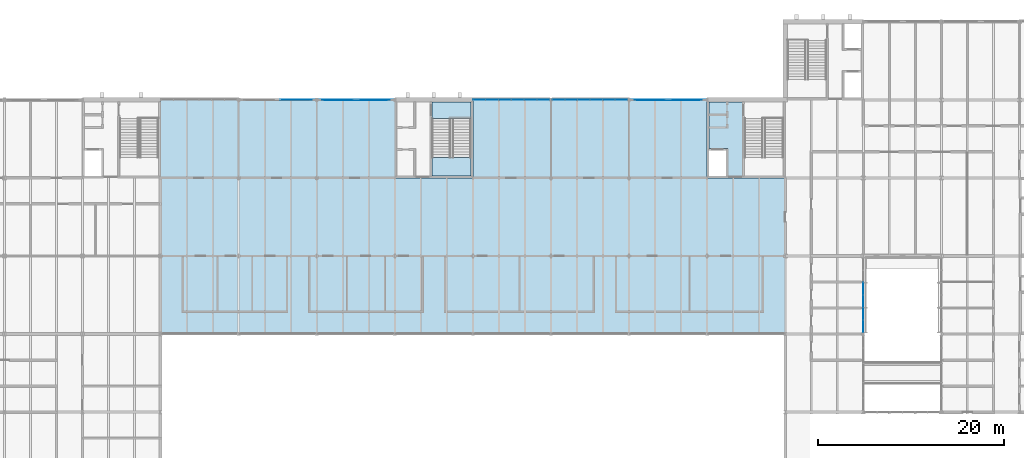
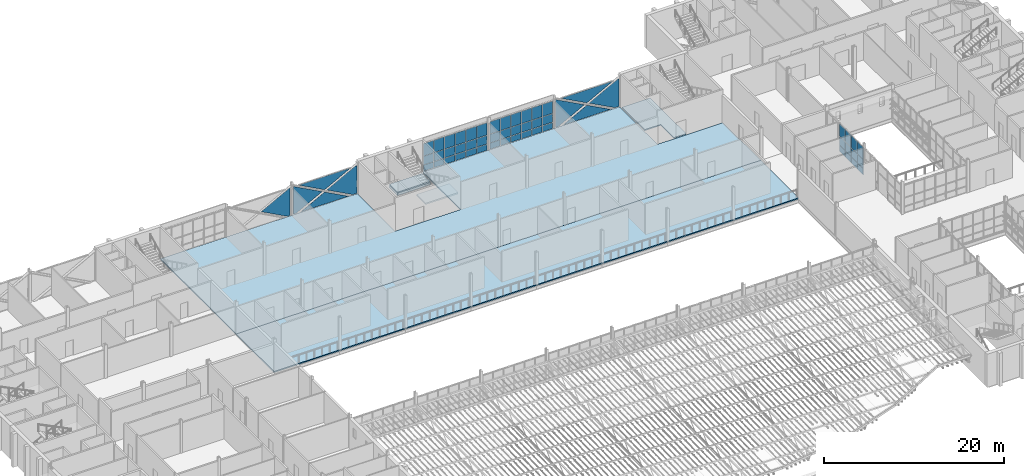
# One storey, part 78 of 129: 57 plates, 6 slabs, 7 elements without a shape of their own.
"""IFC4 building model written with IfcOpenShell, lengths in metres."""

from ifc_helpers import new_model, si_unit, direction, frame, origin, origin_2d, place, context, subcontext, project, spatial, polyline, rectangle, outline, extrude, material, layer, layer_set, type_object, element, aggregate, save


model = new_model("IFC4")

# Units and contexts
model_context = context("Model", 3, precision=1e-05, world=origin(), true_north=direction((0.0, 1.0)))
body_context = subcontext(model_context, "Body", "Model", "MODEL_VIEW")
ifc_project = project(units=[si_unit("LENGTHUNIT", "METRE"), si_unit("AREAUNIT", "SQUARE_METRE"), si_unit("VOLUMEUNIT", "CUBIC_METRE"), si_unit("PLANEANGLEUNIT", "RADIAN"), si_unit("MASSUNIT", "GRAM", prefix="KILO")], contexts=[model_context])

# Site, building, storey
site_placement = place(None, origin())
site = spatial("IfcSite", under=ifc_project, at=site_placement, CompositionType="ELEMENT")
building_placement = place(site_placement, origin())
building = spatial("IfcBuilding", under=site, at=building_placement, Name="Ardhachandra Cancer Care Centre", CompositionType="ELEMENT")
storey_placement = place(building_placement, frame((0.0, 0.0, 4.5)))
storey = spatial("IfcBuildingStorey", under=building, at=storey_placement, Name="L01", CompositionType="ELEMENT", Elevation=4.5)

# Slabs
ifc_material_1 = material(Name="Composite slab Concrete M30 on steel deck", Category="concrete")
ifc_layer_1 = layer(ifc_material_1, 0.14990234375)
ifc_layer_set_1 = layer_set([ifc_layer_1], Name="Composite slab Concrete M30 on steel deck")
slab_type_1 = type_object("IfcSlabType", Name="Composite floor slab 150", PredefinedType="FLOOR", material=ifc_layer_set_1)
slab_1_placement = place(storey_placement, frame((0.0, 0.0, -0.14990234375)))
element("IfcSlab", 1, at=slab_1_placement, inside=storey, type_object=slab_type_1, Name="Floor slab V1-gallery", PredefinedType="FLOOR", context=body_context, shape_type="SweptSolid", body=[
    extrude(outline(polyline([(44.39990234375, 71.39990234375), (111.60009765625, 71.39990234375), (111.60009765625, 79.800048828125), (44.39990234375, 79.800048828125), (44.39990234375, 71.39990234375)])), origin(), (0.0, 0.0, 1.0), 0.14990234375),
])
slab_2_placement = place(storey_placement, frame((0.0, 0.0, -0.14990234375)))
element("IfcSlab", 2, at=slab_2_placement, inside=storey, type_object=slab_type_1, Name="Floor slab V1-strip", PredefinedType="FLOOR", context=body_context, shape_type="SweptSolid", body=[
    extrude(outline(polyline([(111.60009765625, 88.199951171875), (103.199951171875, 88.199951171875), (103.199951171875, 96.60009765625), (78.0, 96.60009765625), (78.0, 88.199951171875), (69.60009765625, 88.199951171875), (69.60009765625, 96.60009765625), (44.39990234375, 96.60009765625), (44.39990234375, 88.199951171875), (44.39990234375, 79.800048828125), (111.60009765625, 79.800048828125), (111.60009765625, 88.199951171875)])), origin(), (0.0, 0.0, 1.0), 0.14990234375),
])
ifc_material_2 = material(Name="Concrete M40", Category="concrete")
ifc_layer_2 = layer(ifc_material_2, 0.14990234375)
ifc_layer_set_2 = layer_set([ifc_layer_2], Name="Concrete M40")
slab_type_2 = type_object("IfcSlabType", Name="Core floor slab 150", PredefinedType="FLOOR", material=ifc_layer_set_2)
slab_3_placement = place(storey_placement, frame((0.0, 0.0, -0.14990234375)))
element("IfcSlab", 3, at=slab_3_placement, inside=storey, type_object=slab_type_2, Name="Core floor slab K7 L01 2", PredefinedType="FLOOR", context=body_context, shape_type="SweptSolid", body=[
    extrude(outline(polyline([(103.39990234375, 96.375), (103.39990234375, 91.35009765625), (105.25, 91.35009765625), (105.449951171875, 91.35009765625), (105.449951171875, 88.39990234375), (107.0, 88.39990234375), (107.0, 96.375), (103.39990234375, 96.375)])), origin(), (0.0, 0.0, 1.0), 0.14990234375),
])
slab_4_placement = place(storey_placement, frame((0.0, 0.0, -0.14990234375)))
element("IfcSlab", 4, at=slab_4_placement, inside=storey, type_object=slab_type_2, Name="Core floor slab K8 L01 1", PredefinedType="FLOOR", context=body_context, shape_type="SweptSolid", body=[
    extrude(outline(polyline([(77.800048828125, 96.375), (73.60009765625, 96.375), (73.60009765625, 94.60009765625), (77.800048828125, 94.60009765625), (77.800048828125, 96.375)])), origin(), (0.0, 0.0, 1.0), 0.14990234375),
])
ifc_material_3 = material(Name="Concrete M40", Category="concrete")
ifc_layer_3 = layer(ifc_material_3, 0.300048828125)
ifc_layer_set_3 = layer_set([ifc_layer_3], Name="Concrete M40")
slab_type_3 = type_object("IfcSlabType", Name="Core stair edge slab 300", PredefinedType="FLOOR", material=ifc_layer_set_3)
slab_5_placement = place(storey_placement, frame((0.0, 0.0, -0.449951171875)))
element("IfcSlab", 5, at=slab_5_placement, inside=storey, type_object=slab_type_3, Name="Core stair edge slab K8 L01", PredefinedType="FLOOR", context=body_context, shape_type="SweptSolid", body=[
    extrude(outline(polyline([(77.800048828125, 94.60009765625), (73.60009765625, 94.60009765625), (73.60009765625, 96.375), (77.800048828125, 96.375), (77.800048828125, 94.60009765625)])), origin(), (0.0, 0.0, 1.0), 0.300048828125),
])

# Curtain wall, plates
ifc_material_4 = material(Name="Aluminium extrusion", Category="aluminium")
ifc_layer_4 = layer(ifc_material_4, 0.14990234375)
ifc_layer_set_4 = layer_set([ifc_layer_4], Name="Aluminium extrusion")
curtain_wall_type = type_object("IfcCurtainWallType", Name="Curtain wall run", PredefinedType="NOTDEFINED", material=ifc_layer_set_4)
curtain_wall_1_placement = place(storey_placement, origin())
curtain_wall_1 = element("IfcCurtainWall", 6, at=curtain_wall_1_placement, inside=storey, type_object=curtain_wall_type, Name="Curtain wall L01 e/0120000_0071400", PredefinedType="NOTDEFINED")
ifc_material_5 = material(Name="Low-iron double-glazed unit")
ifc_layer_5 = layer(ifc_material_5, 0.028076171875)
ifc_layer_set_5 = layer_set([ifc_layer_5], Name="Low-iron double-glazed unit")
plate_type_1 = type_object("IfcPlateType", Name="Curtain wall glazing 28", PredefinedType="CURTAIN_PANEL", material=ifc_layer_set_5)
plate_1_placement = place(storey_placement, frame((120.0, 72.236572265625, 0.93017578125), z_axis=(0.0, 0.0, 1.0), x_axis=(0.0, 1.0, 0.0)))
plate_1 = element("IfcPlate", 7, at=plate_1_placement, type_object=plate_type_1, Name="CW panel 1.2", PredefinedType="CURTAIN_PANEL", context=body_context, shape_type="SweptSolid", body=[
    extrude(rectangle(XDim=1.25341796875, YDim=0.028076171875, at=origin_2d()), origin(), (0.0, 0.0, 1.0), 1.139892578125),
])
plate_2_placement = place(storey_placement, frame((120.0, 72.236572265625, 2.1298828125), z_axis=(0.0, 0.0, 1.0), x_axis=(0.0, 1.0, 0.0)))
plate_2 = element("IfcPlate", 8, at=plate_2_placement, type_object=plate_type_1, Name="CW panel 1.3", PredefinedType="CURTAIN_PANEL", context=body_context, shape_type="SweptSolid", body=[
    extrude(rectangle(XDim=1.25341796875, YDim=0.028076171875, at=origin_2d()), origin(), (0.0, 0.0, 1.0), 1.659912109375),
])
plate_3_placement = place(storey_placement, frame((120.0, 73.56494140625, 0.93017578125), z_axis=(0.0, 0.0, 1.0), x_axis=(0.0, 1.0, 0.0)))
plate_3 = element("IfcPlate", 9, at=plate_3_placement, type_object=plate_type_1, Name="CW panel 2.2", PredefinedType="CURTAIN_PANEL", context=body_context, shape_type="SweptSolid", body=[
    extrude(rectangle(XDim=1.283447265625, YDim=0.028076171875, at=origin_2d()), origin(), (0.0, 0.0, 1.0), 1.139892578125),
])
plate_4_placement = place(storey_placement, frame((120.0, 73.56494140625, 2.1298828125), z_axis=(0.0, 0.0, 1.0), x_axis=(0.0, 1.0, 0.0)))
plate_4 = element("IfcPlate", 10, at=plate_4_placement, type_object=plate_type_1, Name="CW panel 2.3", PredefinedType="CURTAIN_PANEL", context=body_context, shape_type="SweptSolid", body=[
    extrude(rectangle(XDim=1.283447265625, YDim=0.028076171875, at=origin_2d()), origin(), (0.0, 0.0, 1.0), 1.659912109375),
])
plate_5_placement = place(storey_placement, frame((120.0, 74.908447265625, 0.93017578125), z_axis=(0.0, 0.0, 1.0), x_axis=(0.0, 1.0, 0.0)))
plate_5 = element("IfcPlate", 11, at=plate_5_placement, type_object=plate_type_1, Name="CW panel 3.2", PredefinedType="CURTAIN_PANEL", context=body_context, shape_type="SweptSolid", body=[
    extrude(rectangle(XDim=1.283447265625, YDim=0.028076171875, at=origin_2d()), origin(), (0.0, 0.0, 1.0), 1.139892578125),
])
plate_6_placement = place(storey_placement, frame((120.0, 74.908447265625, 2.1298828125), z_axis=(0.0, 0.0, 1.0), x_axis=(0.0, 1.0, 0.0)))
plate_6 = element("IfcPlate", 12, at=plate_6_placement, type_object=plate_type_1, Name="CW panel 3.3", PredefinedType="CURTAIN_PANEL", context=body_context, shape_type="SweptSolid", body=[
    extrude(rectangle(XDim=1.283447265625, YDim=0.028076171875, at=origin_2d()), origin(), (0.0, 0.0, 1.0), 1.659912109375),
])
plate_7_placement = place(storey_placement, frame((120.0, 76.251708984375, 0.93017578125), z_axis=(0.0, 0.0, 1.0), x_axis=(0.0, 1.0, 0.0)))
plate_7 = element("IfcPlate", 13, at=plate_7_placement, type_object=plate_type_1, Name="CW panel 4.2", PredefinedType="CURTAIN_PANEL", context=body_context, shape_type="SweptSolid", body=[
    extrude(rectangle(XDim=1.283447265625, YDim=0.028076171875, at=origin_2d()), origin(), (0.0, 0.0, 1.0), 1.139892578125),
])
plate_8_placement = place(storey_placement, frame((120.0, 76.251708984375, 2.1298828125), z_axis=(0.0, 0.0, 1.0), x_axis=(0.0, 1.0, 0.0)))
plate_8 = element("IfcPlate", 14, at=plate_8_placement, type_object=plate_type_1, Name="CW panel 4.3", PredefinedType="CURTAIN_PANEL", context=body_context, shape_type="SweptSolid", body=[
    extrude(rectangle(XDim=1.283447265625, YDim=0.028076171875, at=origin_2d()), origin(), (0.0, 0.0, 1.0), 1.659912109375),
])

# Curtain wall, plate
curtain_wall_2_placement = place(storey_placement, origin())
curtain_wall_2 = element("IfcCurtainWall", 15, at=curtain_wall_2_placement, inside=storey, type_object=curtain_wall_type, Name="Curtain wall L01 n/0052800_0096600", PredefinedType="NOTDEFINED")
plate_9_placement = place(storey_placement, frame((60.989990234375, 96.60009765625, 3.7900390625), z_axis=(0.0, 1.0, 0.0), x_axis=(0.0, 0.0, -1.0)))
plate_9 = element("IfcPlate", 16, at=plate_9_placement, type_object=plate_type_1, Name="CW panel 1.1", PredefinedType="CURTAIN_PANEL", context=body_context, shape_type="SweptSolid", body=[
    extrude(outline(polyline([(0.0, 0.0), (3.72998046875, 0.0), (3.72998046875, 0.357421875), (1.93994140625, 3.69873046875), (0.0, 0.077392578125), (0.0, 0.0)])), origin(), (0.0, 0.0, 1.0), 0.028076171875),
])
aggregate(curtain_wall_2, [plate_9])

# Curtain wall, plates
curtain_wall_3_placement = place(storey_placement, origin())
curtain_wall_3 = element("IfcCurtainWall", 17, at=curtain_wall_3_placement, inside=storey, type_object=curtain_wall_type, Name="Curtain wall L01 n/0061200_0096600", PredefinedType="NOTDEFINED")
plate_10_placement = place(storey_placement, frame((69.5400390625, 96.60009765625, 3.7900390625), z_axis=(0.0, 1.0, 0.0), x_axis=(0.0, 0.0, -1.0)))
plate_10 = element("IfcPlate", 18, at=plate_10_placement, type_object=plate_type_1, Name="CW panel 1.1", PredefinedType="CURTAIN_PANEL", context=body_context, shape_type="SweptSolid", body=[
    extrude(outline(polyline([(0.0, 0.0), (3.72998046875, 0.0), (3.72998046875, 0.507568359375), (1.93994140625, 3.848876953125), (0.0, 0.2275390625), (0.0, 0.0)])), origin(), (0.0, 0.0, 1.0), 0.028076171875),
])
plate_11_placement = place(storey_placement, frame((68.730224609375, 96.60009765625, 3.7900390625), z_axis=(0.0, 1.0, 0.0), x_axis=(-0.881498222146, 0.0, -0.472187340314)))
plate_11 = element("IfcPlate", 19, at=plate_11_placement, type_object=plate_type_1, Name="CW panel 1.1", PredefinedType="CURTAIN_PANEL", context=body_context, shape_type="SweptSolid", body=[
    extrude(outline(polyline([(0.0, 0.0), (3.778076171875, 0.0), (5.87109375, 3.14501953125), (0.0, 0.0)])), frame((0.0, 0.0, -0.028076171875)), (0.0, 0.0, 1.0), 0.028076171875),
])
plate_12_placement = place(storey_placement, frame((61.409912109375, 96.60009765625, 0.06005859375), z_axis=(0.0, 1.0, 0.0), x_axis=(0.0, 0.0, 1.0)))
plate_12 = element("IfcPlate", 20, at=plate_12_placement, type_object=plate_type_1, Name="CW panel 1.1", PredefinedType="CURTAIN_PANEL", context=body_context, shape_type="SweptSolid", body=[
    extrude(outline(polyline([(0.0, 0.0), (3.72998046875, 0.0), (3.72998046875, 0.07763671875), (1.7900390625, 3.698974609375), (0.0, 0.357666015625), (0.0, 0.0)])), origin(), (0.0, 0.0, 1.0), 0.028076171875),
])
plate_13_placement = place(storey_placement, frame((62.349853515625, 96.60009765625, 0.06005859375), z_axis=(0.0, 1.0, 0.0), x_axis=(0.881470529599, 0.0, 0.472239034228)))
plate_13 = element("IfcPlate", 21, at=plate_13_placement, type_object=plate_type_1, Name="CW panel 1.1", PredefinedType="CURTAIN_PANEL", context=body_context, shape_type="SweptSolid", body=[
    extrude(outline(polyline([(0.0, 0.0), (3.460205078125, 0.0), (5.377197265625, 2.880859375), (0.0, 0.0)])), frame((0.0, 0.0, -0.028076171875)), (0.0, 0.0, 1.0), 0.028076171875),
])
aggregate(curtain_wall_3, [plate_10, plate_11, plate_12, plate_13])

curtain_wall_4_placement = place(storey_placement, origin())
curtain_wall_4 = element("IfcCurtainWall", 22, at=curtain_wall_4_placement, inside=storey, type_object=curtain_wall_type, Name="Curtain wall L01 n/0078000_0096600", PredefinedType="NOTDEFINED")
plate_14_placement = place(storey_placement, frame((78.702392578125, 96.60009765625, 0.93017578125), z_axis=(0.0, 0.0, 1.0), x_axis=(1.0, 0.0, 0.0)))
plate_14 = element("IfcPlate", 23, at=plate_14_placement, type_object=plate_type_1, Name="CW panel 1.2", PredefinedType="CURTAIN_PANEL", context=body_context, shape_type="SweptSolid", body=[
    extrude(rectangle(XDim=1.284912109375, YDim=0.028076171875, at=origin_2d()), origin(), (0.0, 0.0, 1.0), 1.139892578125),
])
plate_15_placement = place(storey_placement, frame((78.702392578125, 96.60009765625, 2.1298828125), z_axis=(0.0, 0.0, 1.0), x_axis=(1.0, 0.0, 0.0)))
plate_15 = element("IfcPlate", 24, at=plate_15_placement, type_object=plate_type_1, Name="CW panel 1.3", PredefinedType="CURTAIN_PANEL", context=body_context, shape_type="SweptSolid", body=[
    extrude(rectangle(XDim=1.284912109375, YDim=0.028076171875, at=origin_2d()), origin(), (0.0, 0.0, 1.0), 1.659912109375),
])
plate_16_placement = place(storey_placement, frame((80.0625, 96.60009765625, 0.93017578125), z_axis=(0.0, 0.0, 1.0), x_axis=(1.0, 0.0, 0.0)))
plate_16 = element("IfcPlate", 25, at=plate_16_placement, type_object=plate_type_1, Name="CW panel 2.2", PredefinedType="CURTAIN_PANEL", context=body_context, shape_type="SweptSolid", body=[
    extrude(rectangle(XDim=1.31494140625, YDim=0.028076171875, at=origin_2d()), origin(), (0.0, 0.0, 1.0), 1.139892578125),
])
plate_17_placement = place(storey_placement, frame((80.0625, 96.60009765625, 2.1298828125), z_axis=(0.0, 0.0, 1.0), x_axis=(1.0, 0.0, 0.0)))
plate_17 = element("IfcPlate", 26, at=plate_17_placement, type_object=plate_type_1, Name="CW panel 2.3", PredefinedType="CURTAIN_PANEL", context=body_context, shape_type="SweptSolid", body=[
    extrude(rectangle(XDim=1.31494140625, YDim=0.028076171875, at=origin_2d()), origin(), (0.0, 0.0, 1.0), 1.659912109375),
])
plate_18_placement = place(storey_placement, frame((81.4375, 96.60009765625, 0.93017578125), z_axis=(0.0, 0.0, 1.0), x_axis=(1.0, 0.0, 0.0)))
plate_18 = element("IfcPlate", 27, at=plate_18_placement, type_object=plate_type_1, Name="CW panel 3.2", PredefinedType="CURTAIN_PANEL", context=body_context, shape_type="SweptSolid", body=[
    extrude(rectangle(XDim=1.31494140625, YDim=0.028076171875, at=origin_2d()), origin(), (0.0, 0.0, 1.0), 1.139892578125),
])
plate_19_placement = place(storey_placement, frame((81.4375, 96.60009765625, 2.1298828125), z_axis=(0.0, 0.0, 1.0), x_axis=(1.0, 0.0, 0.0)))
plate_19 = element("IfcPlate", 28, at=plate_19_placement, type_object=plate_type_1, Name="CW panel 3.3", PredefinedType="CURTAIN_PANEL", context=body_context, shape_type="SweptSolid", body=[
    extrude(rectangle(XDim=1.31494140625, YDim=0.028076171875, at=origin_2d()), origin(), (0.0, 0.0, 1.0), 1.659912109375),
])
plate_20_placement = place(storey_placement, frame((82.8125, 96.60009765625, 0.93017578125), z_axis=(0.0, 0.0, 1.0), x_axis=(1.0, 0.0, 0.0)))
plate_20 = element("IfcPlate", 29, at=plate_20_placement, type_object=plate_type_1, Name="CW panel 4.2", PredefinedType="CURTAIN_PANEL", context=body_context, shape_type="SweptSolid", body=[
    extrude(rectangle(XDim=1.31494140625, YDim=0.028076171875, at=origin_2d()), origin(), (0.0, 0.0, 1.0), 1.139892578125),
])
plate_21_placement = place(storey_placement, frame((82.8125, 96.60009765625, 2.1298828125), z_axis=(0.0, 0.0, 1.0), x_axis=(1.0, 0.0, 0.0)))
plate_21 = element("IfcPlate", 30, at=plate_21_placement, type_object=plate_type_1, Name="CW panel 4.3", PredefinedType="CURTAIN_PANEL", context=body_context, shape_type="SweptSolid", body=[
    extrude(rectangle(XDim=1.31494140625, YDim=0.028076171875, at=origin_2d()), origin(), (0.0, 0.0, 1.0), 1.659912109375),
])
plate_22_placement = place(storey_placement, frame((84.1875, 96.60009765625, 0.93017578125), z_axis=(0.0, 0.0, 1.0), x_axis=(1.0, 0.0, 0.0)))
plate_22 = element("IfcPlate", 31, at=plate_22_placement, type_object=plate_type_1, Name="CW panel 5.2", PredefinedType="CURTAIN_PANEL", context=body_context, shape_type="SweptSolid", body=[
    extrude(rectangle(XDim=1.31494140625, YDim=0.028076171875, at=origin_2d()), origin(), (0.0, 0.0, 1.0), 1.139892578125),
])
plate_23_placement = place(storey_placement, frame((84.1875, 96.60009765625, 2.1298828125), z_axis=(0.0, 0.0, 1.0), x_axis=(1.0, 0.0, 0.0)))
plate_23 = element("IfcPlate", 32, at=plate_23_placement, type_object=plate_type_1, Name="CW panel 5.3", PredefinedType="CURTAIN_PANEL", context=body_context, shape_type="SweptSolid", body=[
    extrude(rectangle(XDim=1.31494140625, YDim=0.028076171875, at=origin_2d()), origin(), (0.0, 0.0, 1.0), 1.659912109375),
])
plate_24_placement = place(storey_placement, frame((85.547607421875, 96.60009765625, 0.93017578125), z_axis=(0.0, 0.0, 1.0), x_axis=(1.0, 0.0, 0.0)))
plate_24 = element("IfcPlate", 33, at=plate_24_placement, type_object=plate_type_1, Name="CW panel 6.2", PredefinedType="CURTAIN_PANEL", context=body_context, shape_type="SweptSolid", body=[
    extrude(rectangle(XDim=1.284912109375, YDim=0.028076171875, at=origin_2d()), origin(), (0.0, 0.0, 1.0), 1.139892578125),
])
plate_25_placement = place(storey_placement, frame((85.547607421875, 96.60009765625, 2.1298828125), z_axis=(0.0, 0.0, 1.0), x_axis=(1.0, 0.0, 0.0)))
plate_25 = element("IfcPlate", 34, at=plate_25_placement, type_object=plate_type_1, Name="CW panel 6.3", PredefinedType="CURTAIN_PANEL", context=body_context, shape_type="SweptSolid", body=[
    extrude(rectangle(XDim=1.284912109375, YDim=0.028076171875, at=origin_2d()), origin(), (0.0, 0.0, 1.0), 1.659912109375),
])

curtain_wall_5_placement = place(storey_placement, origin())
curtain_wall_5 = element("IfcCurtainWall", 35, at=curtain_wall_5_placement, inside=storey, type_object=curtain_wall_type, Name="Curtain wall L01 n/0086400_0096600", PredefinedType="NOTDEFINED")
plate_26_placement = place(storey_placement, frame((87.239990234375, 96.60009765625, 0.93017578125), z_axis=(0.0, 0.0, 1.0), x_axis=(1.0, 0.0, 0.0)))
plate_26 = element("IfcPlate", 36, at=plate_26_placement, type_object=plate_type_1, Name="CW panel 1.2", PredefinedType="CURTAIN_PANEL", context=body_context, shape_type="SweptSolid", body=[
    extrude(rectangle(XDim=1.260009765625, YDim=0.028076171875, at=origin_2d()), origin(), (0.0, 0.0, 1.0), 1.139892578125),
])
plate_27_placement = place(storey_placement, frame((87.239990234375, 96.60009765625, 2.1298828125), z_axis=(0.0, 0.0, 1.0), x_axis=(1.0, 0.0, 0.0)))
plate_27 = element("IfcPlate", 37, at=plate_27_placement, type_object=plate_type_1, Name="CW panel 1.3", PredefinedType="CURTAIN_PANEL", context=body_context, shape_type="SweptSolid", body=[
    extrude(rectangle(XDim=1.260009765625, YDim=0.028076171875, at=origin_2d()), origin(), (0.0, 0.0, 1.0), 1.659912109375),
])
plate_28_placement = place(storey_placement, frame((88.574951171875, 96.60009765625, 0.93017578125), z_axis=(0.0, 0.0, 1.0), x_axis=(1.0, 0.0, 0.0)))
plate_28 = element("IfcPlate", 38, at=plate_28_placement, type_object=plate_type_1, Name="CW panel 2.2", PredefinedType="CURTAIN_PANEL", context=body_context, shape_type="SweptSolid", body=[
    extrude(rectangle(XDim=1.2900390625, YDim=0.028076171875, at=origin_2d()), origin(), (0.0, 0.0, 1.0), 1.139892578125),
])
plate_29_placement = place(storey_placement, frame((88.574951171875, 96.60009765625, 2.1298828125), z_axis=(0.0, 0.0, 1.0), x_axis=(1.0, 0.0, 0.0)))
plate_29 = element("IfcPlate", 39, at=plate_29_placement, type_object=plate_type_1, Name="CW panel 2.3", PredefinedType="CURTAIN_PANEL", context=body_context, shape_type="SweptSolid", body=[
    extrude(rectangle(XDim=1.2900390625, YDim=0.028076171875, at=origin_2d()), origin(), (0.0, 0.0, 1.0), 1.659912109375),
])
plate_30_placement = place(storey_placement, frame((89.925048828125, 96.60009765625, 0.93017578125), z_axis=(0.0, 0.0, 1.0), x_axis=(1.0, 0.0, 0.0)))
plate_30 = element("IfcPlate", 40, at=plate_30_placement, type_object=plate_type_1, Name="CW panel 3.2", PredefinedType="CURTAIN_PANEL", context=body_context, shape_type="SweptSolid", body=[
    extrude(rectangle(XDim=1.2900390625, YDim=0.028076171875, at=origin_2d()), origin(), (0.0, 0.0, 1.0), 1.139892578125),
])
plate_31_placement = place(storey_placement, frame((89.925048828125, 96.60009765625, 2.1298828125), z_axis=(0.0, 0.0, 1.0), x_axis=(1.0, 0.0, 0.0)))
plate_31 = element("IfcPlate", 41, at=plate_31_placement, type_object=plate_type_1, Name="CW panel 3.3", PredefinedType="CURTAIN_PANEL", context=body_context, shape_type="SweptSolid", body=[
    extrude(rectangle(XDim=1.2900390625, YDim=0.028076171875, at=origin_2d()), origin(), (0.0, 0.0, 1.0), 1.659912109375),
])
plate_32_placement = place(storey_placement, frame((91.27490234375, 96.60009765625, 0.93017578125), z_axis=(0.0, 0.0, 1.0), x_axis=(1.0, 0.0, 0.0)))
plate_32 = element("IfcPlate", 42, at=plate_32_placement, type_object=plate_type_1, Name="CW panel 4.2", PredefinedType="CURTAIN_PANEL", context=body_context, shape_type="SweptSolid", body=[
    extrude(rectangle(XDim=1.2900390625, YDim=0.028076171875, at=origin_2d()), origin(), (0.0, 0.0, 1.0), 1.139892578125),
])
plate_33_placement = place(storey_placement, frame((91.27490234375, 96.60009765625, 2.1298828125), z_axis=(0.0, 0.0, 1.0), x_axis=(1.0, 0.0, 0.0)))
plate_33 = element("IfcPlate", 43, at=plate_33_placement, type_object=plate_type_1, Name="CW panel 4.3", PredefinedType="CURTAIN_PANEL", context=body_context, shape_type="SweptSolid", body=[
    extrude(rectangle(XDim=1.2900390625, YDim=0.028076171875, at=origin_2d()), origin(), (0.0, 0.0, 1.0), 1.659912109375),
])
plate_34_placement = place(storey_placement, frame((92.625, 96.60009765625, 0.93017578125), z_axis=(0.0, 0.0, 1.0), x_axis=(1.0, 0.0, 0.0)))
plate_34 = element("IfcPlate", 44, at=plate_34_placement, type_object=plate_type_1, Name="CW panel 5.2", PredefinedType="CURTAIN_PANEL", context=body_context, shape_type="SweptSolid", body=[
    extrude(rectangle(XDim=1.2900390625, YDim=0.028076171875, at=origin_2d()), origin(), (0.0, 0.0, 1.0), 1.139892578125),
])
plate_35_placement = place(storey_placement, frame((92.625, 96.60009765625, 2.1298828125), z_axis=(0.0, 0.0, 1.0), x_axis=(1.0, 0.0, 0.0)))
plate_35 = element("IfcPlate", 45, at=plate_35_placement, type_object=plate_type_1, Name="CW panel 5.3", PredefinedType="CURTAIN_PANEL", context=body_context, shape_type="SweptSolid", body=[
    extrude(rectangle(XDim=1.2900390625, YDim=0.028076171875, at=origin_2d()), origin(), (0.0, 0.0, 1.0), 1.659912109375),
])
plate_36_placement = place(storey_placement, frame((93.9599609375, 96.60009765625, 0.93017578125), z_axis=(0.0, 0.0, 1.0), x_axis=(1.0, 0.0, 0.0)))
plate_36 = element("IfcPlate", 46, at=plate_36_placement, type_object=plate_type_1, Name="CW panel 6.2", PredefinedType="CURTAIN_PANEL", context=body_context, shape_type="SweptSolid", body=[
    extrude(rectangle(XDim=1.260009765625, YDim=0.028076171875, at=origin_2d()), origin(), (0.0, 0.0, 1.0), 1.139892578125),
])
plate_37_placement = place(storey_placement, frame((93.9599609375, 96.60009765625, 2.1298828125), z_axis=(0.0, 0.0, 1.0), x_axis=(1.0, 0.0, 0.0)))
plate_37 = element("IfcPlate", 47, at=plate_37_placement, type_object=plate_type_1, Name="CW panel 6.3", PredefinedType="CURTAIN_PANEL", context=body_context, shape_type="SweptSolid", body=[
    extrude(rectangle(XDim=1.260009765625, YDim=0.028076171875, at=origin_2d()), origin(), (0.0, 0.0, 1.0), 1.659912109375),
])

curtain_wall_6_placement = place(storey_placement, origin())
curtain_wall_6 = element("IfcCurtainWall", 48, at=curtain_wall_6_placement, inside=storey, type_object=curtain_wall_type, Name="Curtain wall L01 n/0094800_0096600", PredefinedType="NOTDEFINED")
plate_38_placement = place(storey_placement, frame((103.139892578125, 96.60009765625, 3.7900390625), z_axis=(0.0, 1.0, 0.0), x_axis=(0.0, 0.0, -1.0)))
plate_38 = element("IfcPlate", 49, at=plate_38_placement, type_object=plate_type_1, Name="CW panel 1.1", PredefinedType="CURTAIN_PANEL", context=body_context, shape_type="SweptSolid", body=[
    extrude(outline(polyline([(0.0, 0.0), (3.72998046875, 0.0), (3.72998046875, 0.50732421875), (1.93994140625, 3.8486328125), (0.0, 0.227294921875), (0.0, 0.0)])), origin(), (0.0, 0.0, 1.0), 0.028076171875),
])
plate_39_placement = place(storey_placement, frame((102.330078125, 96.60009765625, 3.7900390625), z_axis=(0.0, 1.0, 0.0), x_axis=(-0.881483812908, 0.0, -0.47221423907)))
plate_39 = element("IfcPlate", 50, at=plate_39_placement, type_object=plate_type_1, Name="CW panel 1.1", PredefinedType="CURTAIN_PANEL", context=body_context, shape_type="SweptSolid", body=[
    extrude(outline(polyline([(0.0, 0.0), (3.77783203125, 0.0), (5.870849609375, 3.14501953125), (0.0, 0.0)])), frame((0.0, 0.0, -0.028076171875)), (0.0, 0.0, 1.0), 0.028076171875),
])
plate_40_placement = place(storey_placement, frame((95.010009765625, 96.60009765625, 0.06005859375), z_axis=(0.0, 1.0, 0.0), x_axis=(0.0, 0.0, 1.0)))
plate_40 = element("IfcPlate", 51, at=plate_40_placement, type_object=plate_type_1, Name="CW panel 1.1", PredefinedType="CURTAIN_PANEL", context=body_context, shape_type="SweptSolid", body=[
    extrude(outline(polyline([(0.0, 0.0), (3.72998046875, 0.0), (3.72998046875, 0.077392578125), (1.7900390625, 3.69873046875), (0.0, 0.357421875), (0.0, 0.0)])), origin(), (0.0, 0.0, 1.0), 0.028076171875),
])
plate_41_placement = place(storey_placement, frame((95.949951171875, 96.60009765625, 0.06005859375), z_axis=(0.0, 1.0, 0.0), x_axis=(0.881470529599, 0.0, 0.472239034228)))
plate_41 = element("IfcPlate", 52, at=plate_41_placement, type_object=plate_type_1, Name="CW panel 1.1", PredefinedType="CURTAIN_PANEL", context=body_context, shape_type="SweptSolid", body=[
    extrude(outline(polyline([(0.0, 0.0), (3.460205078125, 0.0), (5.376953125, 2.880615234375), (0.0, 0.0)])), frame((0.0, 0.0, -0.028076171875)), (0.0, 0.0, 1.0), 0.028076171875),
])
aggregate(curtain_wall_6, [plate_38, plate_39, plate_40, plate_41])

# Plate
ifc_material_6 = material(Name="Aluminium composite spandrel panel", Category="aluminium")
ifc_layer_6 = layer(ifc_material_6, 0.028076171875)
ifc_layer_set_6 = layer_set([ifc_layer_6], Name="Aluminium composite spandrel panel")
plate_type_2 = type_object("IfcPlateType", Name="Curtain wall spandrel panel 28", PredefinedType="CURTAIN_PANEL", material=ifc_layer_set_6)
plate_42_placement = place(storey_placement, frame((120.0, 72.236572265625, 0.06005859375), z_axis=(0.0, 0.0, 1.0), x_axis=(0.0, 1.0, 0.0)))
plate_42 = element("IfcPlate", 53, at=plate_42_placement, type_object=plate_type_2, Name="CW panel 1.1", PredefinedType="CURTAIN_PANEL", context=body_context, shape_type="SweptSolid", body=[
    extrude(rectangle(XDim=1.25341796875, YDim=0.028076171875, at=origin_2d()), origin(), (0.0, 0.0, 1.0), 0.81005859375),
])

plate_43_placement = place(storey_placement, frame((120.0, 73.56494140625, 0.06005859375), z_axis=(0.0, 0.0, 1.0), x_axis=(0.0, 1.0, 0.0)))
plate_43 = element("IfcPlate", 54, at=plate_43_placement, type_object=plate_type_2, Name="CW panel 2.1", PredefinedType="CURTAIN_PANEL", context=body_context, shape_type="SweptSolid", body=[
    extrude(rectangle(XDim=1.283447265625, YDim=0.028076171875, at=origin_2d()), origin(), (0.0, 0.0, 1.0), 0.81005859375),
])

plate_44_placement = place(storey_placement, frame((120.0, 74.908447265625, 0.06005859375), z_axis=(0.0, 0.0, 1.0), x_axis=(0.0, 1.0, 0.0)))
plate_44 = element("IfcPlate", 55, at=plate_44_placement, type_object=plate_type_2, Name="CW panel 3.1", PredefinedType="CURTAIN_PANEL", context=body_context, shape_type="SweptSolid", body=[
    extrude(rectangle(XDim=1.283447265625, YDim=0.028076171875, at=origin_2d()), origin(), (0.0, 0.0, 1.0), 0.81005859375),
])

plate_45_placement = place(storey_placement, frame((120.0, 76.251708984375, 0.06005859375), z_axis=(0.0, 0.0, 1.0), x_axis=(0.0, 1.0, 0.0)))
plate_45 = element("IfcPlate", 56, at=plate_45_placement, type_object=plate_type_2, Name="CW panel 4.1", PredefinedType="CURTAIN_PANEL", context=body_context, shape_type="SweptSolid", body=[
    extrude(rectangle(XDim=1.283447265625, YDim=0.028076171875, at=origin_2d()), origin(), (0.0, 0.0, 1.0), 0.81005859375),
])

aggregate(curtain_wall_1, [plate_42, plate_1, plate_2, plate_43, plate_3, plate_4, plate_44, plate_5, plate_6, plate_45, plate_7, plate_8])

plate_46_placement = place(storey_placement, frame((78.702392578125, 96.60009765625, 0.06005859375), z_axis=(0.0, 0.0, 1.0), x_axis=(1.0, 0.0, 0.0)))
plate_46 = element("IfcPlate", 57, at=plate_46_placement, type_object=plate_type_2, Name="CW panel 1.1", PredefinedType="CURTAIN_PANEL", context=body_context, shape_type="SweptSolid", body=[
    extrude(rectangle(XDim=1.284912109375, YDim=0.028076171875, at=origin_2d()), origin(), (0.0, 0.0, 1.0), 0.81005859375),
])

plate_47_placement = place(storey_placement, frame((80.0625, 96.60009765625, 0.06005859375), z_axis=(0.0, 0.0, 1.0), x_axis=(1.0, 0.0, 0.0)))
plate_47 = element("IfcPlate", 58, at=plate_47_placement, type_object=plate_type_2, Name="CW panel 2.1", PredefinedType="CURTAIN_PANEL", context=body_context, shape_type="SweptSolid", body=[
    extrude(rectangle(XDim=1.31494140625, YDim=0.028076171875, at=origin_2d()), origin(), (0.0, 0.0, 1.0), 0.81005859375),
])

plate_48_placement = place(storey_placement, frame((81.4375, 96.60009765625, 0.06005859375), z_axis=(0.0, 0.0, 1.0), x_axis=(1.0, 0.0, 0.0)))
plate_48 = element("IfcPlate", 59, at=plate_48_placement, type_object=plate_type_2, Name="CW panel 3.1", PredefinedType="CURTAIN_PANEL", context=body_context, shape_type="SweptSolid", body=[
    extrude(rectangle(XDim=1.31494140625, YDim=0.028076171875, at=origin_2d()), origin(), (0.0, 0.0, 1.0), 0.81005859375),
])

plate_49_placement = place(storey_placement, frame((82.8125, 96.60009765625, 0.06005859375), z_axis=(0.0, 0.0, 1.0), x_axis=(1.0, 0.0, 0.0)))
plate_49 = element("IfcPlate", 60, at=plate_49_placement, type_object=plate_type_2, Name="CW panel 4.1", PredefinedType="CURTAIN_PANEL", context=body_context, shape_type="SweptSolid", body=[
    extrude(rectangle(XDim=1.31494140625, YDim=0.028076171875, at=origin_2d()), origin(), (0.0, 0.0, 1.0), 0.81005859375),
])

plate_50_placement = place(storey_placement, frame((84.1875, 96.60009765625, 0.06005859375), z_axis=(0.0, 0.0, 1.0), x_axis=(1.0, 0.0, 0.0)))
plate_50 = element("IfcPlate", 61, at=plate_50_placement, type_object=plate_type_2, Name="CW panel 5.1", PredefinedType="CURTAIN_PANEL", context=body_context, shape_type="SweptSolid", body=[
    extrude(rectangle(XDim=1.31494140625, YDim=0.028076171875, at=origin_2d()), origin(), (0.0, 0.0, 1.0), 0.81005859375),
])

plate_51_placement = place(storey_placement, frame((85.547607421875, 96.60009765625, 0.06005859375), z_axis=(0.0, 0.0, 1.0), x_axis=(1.0, 0.0, 0.0)))
plate_51 = element("IfcPlate", 62, at=plate_51_placement, type_object=plate_type_2, Name="CW panel 6.1", PredefinedType="CURTAIN_PANEL", context=body_context, shape_type="SweptSolid", body=[
    extrude(rectangle(XDim=1.284912109375, YDim=0.028076171875, at=origin_2d()), origin(), (0.0, 0.0, 1.0), 0.81005859375),
])

aggregate(curtain_wall_4, [plate_46, plate_14, plate_15, plate_47, plate_16, plate_17, plate_48, plate_18, plate_19, plate_49, plate_20, plate_21, plate_50, plate_22, plate_23, plate_51, plate_24, plate_25])

plate_52_placement = place(storey_placement, frame((87.239990234375, 96.60009765625, 0.06005859375), z_axis=(0.0, 0.0, 1.0), x_axis=(1.0, 0.0, 0.0)))
plate_52 = element("IfcPlate", 63, at=plate_52_placement, type_object=plate_type_2, Name="CW panel 1.1", PredefinedType="CURTAIN_PANEL", context=body_context, shape_type="SweptSolid", body=[
    extrude(rectangle(XDim=1.260009765625, YDim=0.028076171875, at=origin_2d()), origin(), (0.0, 0.0, 1.0), 0.81005859375),
])

plate_53_placement = place(storey_placement, frame((88.574951171875, 96.60009765625, 0.06005859375), z_axis=(0.0, 0.0, 1.0), x_axis=(1.0, 0.0, 0.0)))
plate_53 = element("IfcPlate", 64, at=plate_53_placement, type_object=plate_type_2, Name="CW panel 2.1", PredefinedType="CURTAIN_PANEL", context=body_context, shape_type="SweptSolid", body=[
    extrude(rectangle(XDim=1.2900390625, YDim=0.028076171875, at=origin_2d()), origin(), (0.0, 0.0, 1.0), 0.81005859375),
])

plate_54_placement = place(storey_placement, frame((89.925048828125, 96.60009765625, 0.06005859375), z_axis=(0.0, 0.0, 1.0), x_axis=(1.0, 0.0, 0.0)))
plate_54 = element("IfcPlate", 65, at=plate_54_placement, type_object=plate_type_2, Name="CW panel 3.1", PredefinedType="CURTAIN_PANEL", context=body_context, shape_type="SweptSolid", body=[
    extrude(rectangle(XDim=1.2900390625, YDim=0.028076171875, at=origin_2d()), origin(), (0.0, 0.0, 1.0), 0.81005859375),
])

plate_55_placement = place(storey_placement, frame((91.27490234375, 96.60009765625, 0.06005859375), z_axis=(0.0, 0.0, 1.0), x_axis=(1.0, 0.0, 0.0)))
plate_55 = element("IfcPlate", 66, at=plate_55_placement, type_object=plate_type_2, Name="CW panel 4.1", PredefinedType="CURTAIN_PANEL", context=body_context, shape_type="SweptSolid", body=[
    extrude(rectangle(XDim=1.2900390625, YDim=0.028076171875, at=origin_2d()), origin(), (0.0, 0.0, 1.0), 0.81005859375),
])

plate_56_placement = place(storey_placement, frame((92.625, 96.60009765625, 0.06005859375), z_axis=(0.0, 0.0, 1.0), x_axis=(1.0, 0.0, 0.0)))
plate_56 = element("IfcPlate", 67, at=plate_56_placement, type_object=plate_type_2, Name="CW panel 5.1", PredefinedType="CURTAIN_PANEL", context=body_context, shape_type="SweptSolid", body=[
    extrude(rectangle(XDim=1.2900390625, YDim=0.028076171875, at=origin_2d()), origin(), (0.0, 0.0, 1.0), 0.81005859375),
])

plate_57_placement = place(storey_placement, frame((93.9599609375, 96.60009765625, 0.06005859375), z_axis=(0.0, 0.0, 1.0), x_axis=(1.0, 0.0, 0.0)))
plate_57 = element("IfcPlate", 68, at=plate_57_placement, type_object=plate_type_2, Name="CW panel 6.1", PredefinedType="CURTAIN_PANEL", context=body_context, shape_type="SweptSolid", body=[
    extrude(rectangle(XDim=1.260009765625, YDim=0.028076171875, at=origin_2d()), origin(), (0.0, 0.0, 1.0), 0.81005859375),
])

aggregate(curtain_wall_5, [plate_52, plate_26, plate_27, plate_53, plate_28, plate_29, plate_54, plate_30, plate_31, plate_55, plate_32, plate_33, plate_56, plate_34, plate_35, plate_57, plate_36, plate_37])

# Stair, slab
ifc_material_7 = material(Name="Concrete M40", Category="concrete")
stair_type = type_object("IfcStairType", Name="Dog-leg stair 2000", PredefinedType="HALF_TURN_STAIR", material=ifc_material_7)
stair_placement = place(storey_placement, origin())
stair = element("IfcStair", 69, at=stair_placement, inside=storey, type_object=stair_type, Name="Stair K8 L01-L02", PredefinedType="HALF_TURN_STAIR")
ifc_material_8 = material(Name="Concrete M40", Category="concrete")
ifc_layer_7 = layer(ifc_material_8, 0.199951171875)
ifc_layer_set_7 = layer_set([ifc_layer_7], Name="Concrete M40")
slab_type_4 = type_object("IfcSlabType", Name="Stair landing 200", PredefinedType="LANDING", material=ifc_layer_set_7)
slab_6_placement = place(storey_placement, frame((0.0, 0.0, 2.050048828125)))
slab_6 = element("IfcSlab", 70, at=slab_6_placement, type_object=slab_type_4, Name="stair K8 L01-L02 landing 1", PredefinedType="LANDING", context=body_context, shape_type="SweptSolid", body=[
    extrude(outline(polyline([(73.60009765625, 88.39990234375), (77.800048828125, 88.39990234375), (77.800048828125, 90.39990234375), (73.60009765625, 90.39990234375), (73.60009765625, 88.39990234375)])), origin(), (0.0, 0.0, 1.0), 0.199951171875),
])
aggregate(stair, [slab_6])

save(model, "model.ifc")
